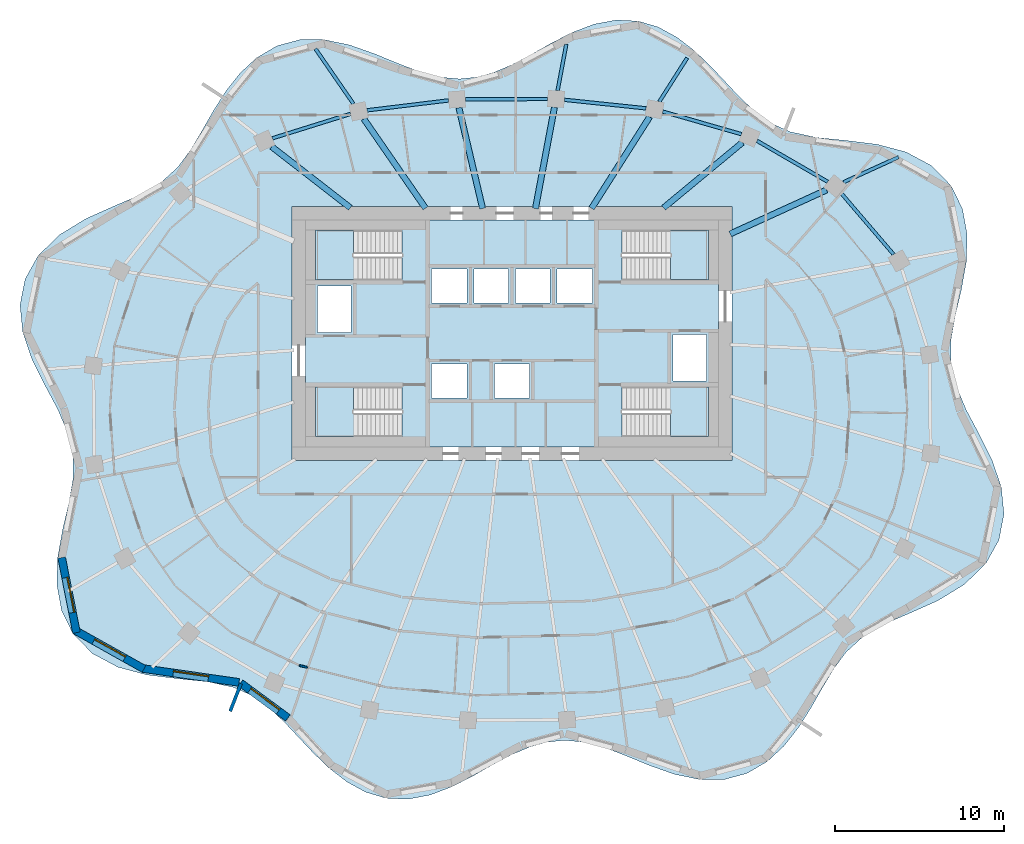
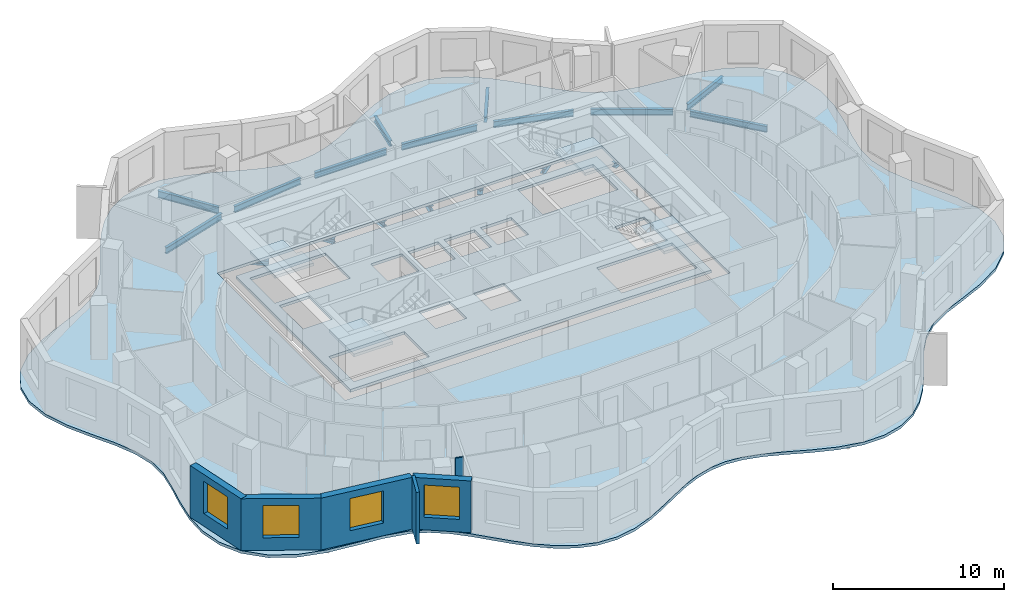
# One storey, part 2 of 11: 18 beams, 6 slabs, 6 walls, 4 windows, 4 openings, 4 elements without a shape of their own.
"""IFC4 building model written with IfcOpenShell, lengths in metres."""

from ifc_helpers import new_model, si_unit, direction, frame, frame_2d, origin, origin_2d, place, context, subcontext, project, spatial, polyline, rectangle, i_section, outline, extrude, material, layer, layer_set, material_profile, profile_set, type_object, element, fill, aggregate, save


model = new_model("IFC4")

# Units and contexts
model_context = context("Model", 3, precision=1e-05, world=origin(), true_north=direction((0.0, 1.0)))
body_context = subcontext(model_context, "Body", "Model", "MODEL_VIEW")
ifc_project = project(units=[si_unit("LENGTHUNIT", "METRE"), si_unit("AREAUNIT", "SQUARE_METRE"), si_unit("VOLUMEUNIT", "CUBIC_METRE"), si_unit("PLANEANGLEUNIT", "RADIAN"), si_unit("MASSUNIT", "GRAM", prefix="KILO")], contexts=[model_context])

# Site, building, storey
site_placement = place(None, origin())
site = spatial("IfcSite", under=ifc_project, at=site_placement, CompositionType="ELEMENT")
building_placement = place(site_placement, origin())
building = spatial("IfcBuilding", under=site, at=building_placement, Name="Rubra Terraces Tower", CompositionType="ELEMENT")
storey_placement = place(building_placement, frame((0.0, 0.0, 177.89990234375)))
storey = spatial("IfcBuildingStorey", under=building, at=storey_placement, Name="L43", CompositionType="ELEMENT", Elevation=177.89990234375)

# Beams
ifc_material_1 = material(Name="Steel Q355B", Category="steel")
ifc_material_profile_1 = material_profile(ifc_material_1, i_section(OverallWidth=0.199951171875, OverallDepth=0.39990234375, WebThickness=0.008056640625, FlangeThickness=0.012939453125, at=origin_2d()), Name="HN 400x200x8x13")
ifc_profile_set_1 = profile_set([ifc_material_profile_1], Name="Steel Q355B")
beam_type_1 = type_object("IfcBeamType", Name="CANTILEVER BEAM HN 400x200x8x13", PredefinedType="BEAM", material=ifc_profile_set_1)
beam_1_placement = place(storey_placement, frame((8.7099609375, 18.201904296875, -0.39990234375), z_axis=(0.536555231363, 0.843865204696, 0.0), x_axis=(-0.843865204696, 0.536555231363, 0.0)))
element("IfcBeam", 1, at=beam_1_placement, inside=storey, type_object=beam_type_1, Name="beam-L43-cant-05", PredefinedType="BEAM", context=body_context, shape_type="SweptSolid", body=[
    extrude(i_section(OverallWidth=0.199951171875, OverallDepth=0.39990234375, WebThickness=0.008056640625, FlangeThickness=0.012939453125, at=origin_2d()), origin(), (0.0, 0.0, 1.0), 3.05859375),
])
beam_2_placement = place(storey_placement, frame((2.695068359375, 18.85400390625, -0.39990234375), z_axis=(0.184719314681, 0.982791318024, 0.0), x_axis=(-0.982791318024, 0.184719314681, 0.0)))
element("IfcBeam", 2, at=beam_2_placement, inside=storey, type_object=beam_type_1, Name="beam-L43-cant-06", PredefinedType="BEAM", context=body_context, shape_type="SweptSolid", body=[
    extrude(i_section(OverallWidth=0.199951171875, OverallDepth=0.39990234375, WebThickness=0.008056640625, FlangeThickness=0.012939453125, at=origin_2d()), origin(), (0.0, 0.0, 1.0), 2.771484375),
])
ifc_material_profile_2 = material_profile(ifc_material_1, i_section(OverallWidth=0.198974609375, OverallDepth=0.446044921875, WebThickness=0.008056640625, FlangeThickness=0.011962890625, at=origin_2d()), Name="HN 446x199x8x12")
ifc_profile_set_2 = profile_set([ifc_material_profile_2], Name="Steel Q355B")
beam_type_2 = type_object("IfcBeamType", Name="CANTILEVER BEAM HN 446x199x8x12", PredefinedType="BEAM", material=ifc_profile_set_2)
beam_3_placement = place(storey_placement, frame((19.596923828125, 13.43896484375, -0.4228515625), z_axis=(0.909750987553, 0.415154357614, 0.0), x_axis=(-0.415154357614, 0.909750987553, 0.0)))
element("IfcBeam", 3, at=beam_3_placement, inside=storey, type_object=beam_type_2, Name="beam-L43-cant-03", PredefinedType="BEAM", context=body_context, shape_type="SweptSolid", body=[
    extrude(i_section(OverallWidth=0.198974609375, OverallDepth=0.446044921875, WebThickness=0.008056640625, FlangeThickness=0.011962890625, at=origin_2d()), origin(), (0.0, 0.0, 1.0), 3.56494140625),
])
ifc_material_profile_3 = material_profile(ifc_material_1, i_section(OverallWidth=0.198974609375, OverallDepth=0.49609375, WebThickness=0.009033203125, FlangeThickness=0.013916015625, at=origin_2d()), Name="HN 496x199x9x14")
ifc_profile_set_3 = profile_set([ifc_material_profile_3], Name="Steel Q355B")
beam_type_3 = type_object("IfcBeamType", Name="CANTILEVER BEAM HN 496x199x9x14", PredefinedType="BEAM", material=ifc_profile_set_3)
beam_4_placement = place(storey_placement, frame((-9.3701171875, 18.070068359375, -0.447998046875), z_axis=(-0.568216621414, 0.822879013676, 0.0), x_axis=(-0.822879013676, -0.568216621414, 0.0)))
element("IfcBeam", 4, at=beam_4_placement, inside=storey, type_object=beam_type_3, Name="beam-L43-cant-08", PredefinedType="BEAM", context=body_context, shape_type="SweptSolid", body=[
    extrude(i_section(OverallWidth=0.198974609375, OverallDepth=0.49609375, WebThickness=0.009033203125, FlangeThickness=0.013916015625, at=origin_2d()), origin(), (0.0, 0.0, 1.0), 3.95068359375),
])
ifc_material_profile_4 = material_profile(ifc_material_1, i_section(OverallWidth=0.35009765625, OverallDepth=0.35009765625, WebThickness=0.011962890625, FlangeThickness=0.01904296875, at=origin_2d()), Name="HW 350x350x12x19")
ifc_profile_set_4 = profile_set([ifc_material_profile_4], Name="Steel Q355B")
beam_type_4 = type_object("IfcBeamType", Name="FLOOR BEAM HW 350x350x12x19", PredefinedType="BEAM", material=ifc_profile_set_4)
beam_5_placement = place(storey_placement, frame((18.5869140625, 12.97900390625, -0.375), z_axis=(-0.909756526533, -0.415142219523, 0.0), x_axis=(0.415142219523, -0.909756526533, 0.0)))
element("IfcBeam", 5, at=beam_5_placement, inside=storey, type_object=beam_type_4, Name="beam-L43-floor-03", PredefinedType="BEAM", context=body_context, shape_type="SweptSolid", body=[
    extrude(i_section(OverallWidth=0.35009765625, OverallDepth=0.35009765625, WebThickness=0.011962890625, FlangeThickness=0.01904296875, at=origin_2d()), origin(), (0.0, 0.0, 1.0), 6.2607421875),
])
beam_6_placement = place(storey_placement, frame((13.60888671875, 15.777099609375, -0.375), z_axis=(-0.769987518392, -0.638058948312, 0.0), x_axis=(0.638058948312, -0.769987518392, 0.0)))
element("IfcBeam", 6, at=beam_6_placement, inside=storey, type_object=beam_type_4, Name="beam-L43-floor-04", PredefinedType="BEAM", context=body_context, shape_type="SweptSolid", body=[
    extrude(i_section(OverallWidth=0.35009765625, OverallDepth=0.35009765625, WebThickness=0.011962890625, FlangeThickness=0.01904296875, at=origin_2d()), origin(), (0.0, 0.0, 1.0), 6.040283203125),
])
beam_7_placement = place(storey_placement, frame((8.134033203125, 17.2958984375, -0.375), z_axis=(-0.536509861106, -0.843894050776, 0.0), x_axis=(0.843894050776, -0.536509861106, 0.0)))
element("IfcBeam", 7, at=beam_7_placement, inside=storey, type_object=beam_type_4, Name="beam-L43-floor-05", PredefinedType="BEAM", context=body_context, shape_type="SweptSolid", body=[
    extrude(i_section(OverallWidth=0.35009765625, OverallDepth=0.35009765625, WebThickness=0.011962890625, FlangeThickness=0.01904296875, at=origin_2d()), origin(), (0.0, 0.0, 1.0), 6.395263671875),
])
beam_8_placement = place(storey_placement, frame((2.509033203125, 17.862060546875, -0.375), z_axis=(-0.184574398021, -0.982818544593, 0.0), x_axis=(0.982818544593, -0.184574398021, 0.0)))
element("IfcBeam", 8, at=beam_8_placement, inside=storey, type_object=beam_type_4, Name="beam-L43-floor-06", PredefinedType="BEAM", context=body_context, shape_type="SweptSolid", body=[
    extrude(i_section(OverallWidth=0.35009765625, OverallDepth=0.35009765625, WebThickness=0.011962890625, FlangeThickness=0.01904296875, at=origin_2d()), origin(), (0.0, 0.0, 1.0), 6.08447265625),
])
beam_9_placement = place(storey_placement, frame((-3.137939453125, 17.8359375, -0.375), z_axis=(0.229070485592, -0.973409837957, 0.0), x_axis=(0.973409837957, 0.229070485592, 0.0)))
element("IfcBeam", 9, at=beam_9_placement, inside=storey, type_object=beam_type_4, Name="beam-L43-floor-07", PredefinedType="BEAM", context=body_context, shape_type="SweptSolid", body=[
    extrude(i_section(OverallWidth=0.35009765625, OverallDepth=0.35009765625, WebThickness=0.011962890625, FlangeThickness=0.01904296875, at=origin_2d()), origin(), (0.0, 0.0, 1.0), 6.115478515625),
])
beam_10_placement = place(storey_placement, frame((-8.756103515625, 17.179931640625, -0.375), z_axis=(0.568186422001, -0.822899866238, 0.0), x_axis=(0.822899866238, 0.568186422001, 0.0)))
element("IfcBeam", 10, at=beam_10_placement, inside=storey, type_object=beam_type_4, Name="beam-L43-floor-08", PredefinedType="BEAM", context=body_context, shape_type="SweptSolid", body=[
    extrude(i_section(OverallWidth=0.35009765625, OverallDepth=0.35009765625, WebThickness=0.011962890625, FlangeThickness=0.01904296875, at=origin_2d()), origin(), (0.0, 0.0, 1.0), 6.415283203125),
])
beam_11_placement = place(storey_placement, frame((-14.197998046875, 15.534912109375, -0.375), z_axis=(0.789548898228, -0.613687654517, 0.0), x_axis=(0.613687654517, 0.789548898228, 0.0)))
element("IfcBeam", 11, at=beam_11_placement, inside=storey, type_object=beam_type_4, Name="beam-L43-floor-09", PredefinedType="BEAM", context=body_context, shape_type="SweptSolid", body=[
    extrude(i_section(OverallWidth=0.35009765625, OverallDepth=0.35009765625, WebThickness=0.011962890625, FlangeThickness=0.01904296875, at=origin_2d()), origin(), (0.0, 0.0, 1.0), 5.880615234375),
])
ifc_material_profile_5 = material_profile(ifc_material_1, i_section(OverallWidth=0.198974609375, OverallDepth=0.446044921875, WebThickness=0.008056640625, FlangeThickness=0.011962890625, at=origin_2d()), Name="HN 446x199x8x12")
ifc_profile_set_5 = profile_set([ifc_material_profile_5], Name="Steel Q355B")
beam_type_5 = type_object("IfcBeamType", Name="SPANDREL BEAM HN 446x199x8x12", PredefinedType="SPANDREL", material=ifc_profile_set_5)
beam_12_placement = place(storey_placement, frame((22.547119140625, 9.174072265625, -0.4228515625), z_axis=(-0.650372836218, 0.759615148552, 0.0), x_axis=(-0.759615148552, -0.650372836218, 0.0)))
element("IfcBeam", 12, at=beam_12_placement, inside=storey, type_object=beam_type_5, Name="beam-L43-spandrel-02", PredefinedType="SPANDREL", context=body_context, shape_type="SweptSolid", body=[
    extrude(i_section(OverallWidth=0.198974609375, OverallDepth=0.446044921875, WebThickness=0.008056640625, FlangeThickness=0.011962890625, at=origin_2d()), origin(), (0.0, 0.0, 1.0), 4.804931640625),
])
beam_13_placement = place(storey_placement, frame((18.653076171875, 13.462890625, -0.4228515625), z_axis=(-0.865153680787, 0.501506838059, 0.0), x_axis=(-0.501506838059, -0.865153680787, 0.0)))
element("IfcBeam", 13, at=beam_13_placement, inside=storey, type_object=beam_type_5, Name="beam-L43-spandrel-03", PredefinedType="SPANDREL", context=body_context, shape_type="SweptSolid", body=[
    extrude(i_section(OverallWidth=0.198974609375, OverallDepth=0.446044921875, WebThickness=0.008056640625, FlangeThickness=0.011962890625, at=origin_2d()), origin(), (0.0, 0.0, 1.0), 4.82568359375),
])
beam_14_placement = place(storey_placement, frame((13.55810546875, 16.27490234375, -0.4228515625), z_axis=(-0.961171164323, 0.275952881621, 0.0), x_axis=(-0.275952881621, -0.961171164323, 0.0)))
element("IfcBeam", 14, at=beam_14_placement, inside=storey, type_object=beam_type_5, Name="beam-L43-spandrel-04", PredefinedType="SPANDREL", context=body_context, shape_type="SweptSolid", body=[
    extrude(i_section(OverallWidth=0.198974609375, OverallDepth=0.446044921875, WebThickness=0.008056640625, FlangeThickness=0.011962890625, at=origin_2d()), origin(), (0.0, 0.0, 1.0), 4.842041015625),
])
beam_15_placement = place(storey_placement, frame((7.923095703125, 17.801025390625, -0.4228515625), z_axis=(-0.994565426955, 0.104113454971, 0.0), x_axis=(-0.104113454971, -0.994565426955, 0.0)))
element("IfcBeam", 15, at=beam_15_placement, inside=storey, type_object=beam_type_5, Name="beam-L43-spandrel-05", PredefinedType="SPANDREL", context=body_context, shape_type="SweptSolid", body=[
    extrude(i_section(OverallWidth=0.198974609375, OverallDepth=0.446044921875, WebThickness=0.008056640625, FlangeThickness=0.011962890625, at=origin_2d()), origin(), (0.0, 0.0, 1.0), 4.849365234375),
])
beam_16_placement = place(storey_placement, frame((2.10107421875, 18.35595703125, -0.4228515625), z_axis=(-0.999987852299, -0.004929021704, 0.0), x_axis=(0.004929021704, -0.999987852299, 0.0)))
element("IfcBeam", 16, at=beam_16_placement, inside=storey, type_object=beam_type_5, Name="beam-L43-spandrel-06", PredefinedType="SPANDREL", context=body_context, shape_type="SweptSolid", body=[
    extrude(i_section(OverallWidth=0.198974609375, OverallDepth=0.446044921875, WebThickness=0.008056640625, FlangeThickness=0.011962890625, at=origin_2d()), origin(), (0.0, 0.0, 1.0), 4.85400390625),
])
beam_17_placement = place(storey_placement, frame((-3.7509765625, 18.27001953125, -0.4228515625), z_axis=(-0.992698018573, -0.120626049929, 0.0), x_axis=(0.120626049929, -0.992698018573, 0.0)))
element("IfcBeam", 17, at=beam_17_placement, inside=storey, type_object=beam_type_5, Name="beam-L43-spandrel-07", PredefinedType="SPANDREL", context=body_context, shape_type="SweptSolid", body=[
    extrude(i_section(OverallWidth=0.198974609375, OverallDepth=0.446044921875, WebThickness=0.008056640625, FlangeThickness=0.011962890625, at=origin_2d()), origin(), (0.0, 0.0, 1.0), 4.849365234375),
])
beam_18_placement = place(storey_placement, frame((-9.5419921875, 17.47509765625, -0.4228515625), z_axis=(-0.954462027342, -0.298332429282, 0.0), x_axis=(0.298332429282, -0.954462027342, 0.0)))
element("IfcBeam", 18, at=beam_18_placement, inside=storey, type_object=beam_type_5, Name="beam-L43-spandrel-08", PredefinedType="SPANDREL", context=body_context, shape_type="SweptSolid", body=[
    extrude(i_section(OverallWidth=0.198974609375, OverallDepth=0.446044921875, WebThickness=0.008056640625, FlangeThickness=0.011962890625, at=origin_2d()), origin(), (0.0, 0.0, 1.0), 4.840576171875),
])

# Slab
ifc_material_2 = material(Name="Concrete C40", Category="concrete")
ifc_layer_1 = layer(ifc_material_2, 0.199951171875)
ifc_layer_set_1 = layer_set([ifc_layer_1], Name="Concrete C40")
slab_type_1 = type_object("IfcSlabType", Name="Core floor slab 200 concrete", PredefinedType="FLOOR", material=ifc_layer_set_1)
slab_1_placement = place(storey_placement, frame((0.0, 0.0, -0.199951171875)))
element("IfcSlab", 19, at=slab_1_placement, inside=storey, type_object=slab_type_1, Name="CORE FLOOR SLAB L43", PredefinedType="FLOOR", context=body_context, shape_type="SweptSolid", body=[
    extrude(outline(polyline([(-12.199951171875, -2.199951171875), (-12.199951171875, 11.199951171875), (12.199951171875, 11.199951171875), (12.199951171875, -2.199951171875), (-12.199951171875, -2.199951171875)]), holes=[polyline([(11.597900390625, 1.347900390625), (6.501953125, 1.347900390625), (6.501953125, -1.597900390625), (11.597900390625, -1.597900390625), (11.597900390625, 1.347900390625)]), polyline([(11.597900390625, 7.652099609375), (11.597900390625, 10.597900390625), (6.501953125, 10.597900390625), (6.501953125, 7.652099609375), (11.597900390625, 7.652099609375)]), polyline([(9.5, 1.699951171875), (11.5, 1.699951171875), (11.5, 4.449951171875), (9.5, 4.449951171875), (9.5, 1.699951171875)]), polyline([(4.75, 6.300048828125), (4.75, 8.300048828125), (2.64990234375, 8.300048828125), (2.64990234375, 6.300048828125), (4.75, 6.300048828125)]), polyline([(2.25, 8.300048828125), (0.199951171875, 8.300048828125), (0.199951171875, 6.300048828125), (2.25, 6.300048828125), (2.25, 8.300048828125)]), polyline([(1.02490234375, 0.699951171875), (1.02490234375, 2.699951171875), (-1.02490234375, 2.699951171875), (-1.02490234375, 0.699951171875), (1.02490234375, 0.699951171875)]), polyline([(-0.199951171875, 6.300048828125), (-0.199951171875, 8.300048828125), (-2.25, 8.300048828125), (-2.25, 6.300048828125), (-0.199951171875, 6.300048828125)]), polyline([(-4.75, 8.300048828125), (-4.75, 6.300048828125), (-2.64990234375, 6.300048828125), (-2.64990234375, 8.300048828125), (-4.75, 8.300048828125)]), polyline([(-2.64990234375, 0.699951171875), (-2.64990234375, 2.699951171875), (-4.75, 2.699951171875), (-4.75, 0.699951171875), (-2.64990234375, 0.699951171875)]), polyline([(-11.597900390625, -1.597900390625), (-6.501953125, -1.597900390625), (-6.501953125, 1.347900390625), (-11.597900390625, 1.347900390625), (-11.597900390625, -1.597900390625)]), polyline([(-11.597900390625, 10.597900390625), (-11.597900390625, 7.652099609375), (-6.501953125, 7.652099609375), (-6.501953125, 10.597900390625), (-11.597900390625, 10.597900390625)]), polyline([(-9.5, 4.550048828125), (-9.5, 7.300048828125), (-11.5, 7.300048828125), (-11.5, 4.550048828125), (-9.5, 4.550048828125)])]), origin(), (0.0, 0.0, 1.0), 0.199951171875),
])

# Stair, slab
stair_type = type_object("IfcStairType", Name="Core stair 1400", PredefinedType="HALF_TURN_STAIR", material=ifc_material_2)
stair_1_placement = place(storey_placement, origin())
stair_1 = element("IfcStair", 20, at=stair_1_placement, inside=storey, type_object=stair_type, Name="L43 Exit stair S1", PredefinedType="HALF_TURN_STAIR")
ifc_layer_2 = layer(ifc_material_2, 0.199951171875)
ifc_layer_set_2 = layer_set([ifc_layer_2], Name="Concrete C40")
slab_type_2 = type_object("IfcSlabType", Name="Core stair landing 200", PredefinedType="LANDING", material=ifc_layer_set_2)
slab_2_placement = place(storey_placement, frame((0.0, 0.0, 1.75)))
slab_2 = element("IfcSlab", 21, at=slab_2_placement, type_object=slab_type_2, Name="S1 landing 1", PredefinedType="LANDING", context=body_context, shape_type="SweptSolid", body=[
    extrude(outline(polyline([(-8.97998046875, -0.199951171875), (-8.97998046875, -1.60009765625), (-9.360107421875, -1.60009765625), (-9.3798828125, -1.60009765625), (-11.60009765625, -1.60009765625), (-11.60009765625, 1.35009765625), (-9.3798828125, 1.35009765625), (-9.35791015625, 1.35009765625), (-9.35791015625, -0.050048828125), (-9.360107421875, -0.050048828125), (-9.360107421875, -0.199951171875), (-8.97998046875, -0.199951171875)])), origin(), (0.0, 0.0, 1.0), 0.2001953125),
])
aggregate(stair_1, [slab_2])

stair_2_placement = place(storey_placement, origin())
stair_2 = element("IfcStair", 22, at=stair_2_placement, inside=storey, type_object=stair_type, Name="L43 Exit stair S2", PredefinedType="HALF_TURN_STAIR")
slab_3_placement = place(storey_placement, frame((0.0, 0.0, 1.75)))
slab_3 = element("IfcSlab", 23, at=slab_3_placement, type_object=slab_type_2, Name="S2 landing 1", PredefinedType="LANDING", context=body_context, shape_type="SweptSolid", body=[
    extrude(outline(polyline([(-8.97998046875, 9.050048828125), (-8.97998046875, 7.64990234375), (-9.3798828125, 7.64990234375), (-11.60009765625, 7.64990234375), (-11.60009765625, 10.60009765625), (-9.3798828125, 10.60009765625), (-9.360107421875, 10.60009765625), (-9.35791015625, 10.60009765625), (-9.35791015625, 9.199951171875), (-9.360107421875, 9.199951171875), (-9.360107421875, 9.050048828125), (-8.97998046875, 9.050048828125)])), origin(), (0.0, 0.0, 1.0), 0.2001953125),
])
aggregate(stair_2, [slab_3])

stair_3_placement = place(storey_placement, origin())
stair_3 = element("IfcStair", 24, at=stair_3_placement, inside=storey, type_object=stair_type, Name="L43 Exit stair S3", PredefinedType="HALF_TURN_STAIR")
slab_4_placement = place(storey_placement, frame((0.0, 0.0, 1.75)))
slab_4 = element("IfcSlab", 25, at=slab_4_placement, type_object=slab_type_2, Name="S3 landing 1", PredefinedType="LANDING", context=body_context, shape_type="SweptSolid", body=[
    extrude(outline(polyline([(9.360107421875, 9.050048828125), (9.360107421875, 9.199951171875), (8.97998046875, 9.199951171875), (8.97998046875, 10.60009765625), (9.360107421875, 10.60009765625), (9.3798828125, 10.60009765625), (11.60009765625, 10.60009765625), (11.60009765625, 7.64990234375), (9.3798828125, 7.64990234375), (9.35791015625, 7.64990234375), (9.35791015625, 9.050048828125), (9.360107421875, 9.050048828125)])), origin(), (0.0, 0.0, 1.0), 0.2001953125),
])
aggregate(stair_3, [slab_4])

stair_4_placement = place(storey_placement, origin())
stair_4 = element("IfcStair", 26, at=stair_4_placement, inside=storey, type_object=stair_type, Name="L43 Exit stair S4", PredefinedType="HALF_TURN_STAIR")
slab_5_placement = place(storey_placement, frame((0.0, 0.0, 1.75)))
slab_5 = element("IfcSlab", 27, at=slab_5_placement, type_object=slab_type_2, Name="S4 landing 1", PredefinedType="LANDING", context=body_context, shape_type="SweptSolid", body=[
    extrude(outline(polyline([(9.360107421875, -0.199951171875), (9.360107421875, -0.050048828125), (8.97998046875, -0.050048828125), (8.97998046875, 1.35009765625), (9.360107421875, 1.35009765625), (9.3798828125, 1.35009765625), (11.60009765625, 1.35009765625), (11.60009765625, -1.60009765625), (9.3798828125, -1.60009765625), (9.360107421875, -1.60009765625), (9.35791015625, -1.60009765625), (9.35791015625, -0.199951171875), (9.360107421875, -0.199951171875)])), origin(), (0.0, 0.0, 1.0), 0.2001953125),
])
aggregate(stair_4, [slab_5])

# Slab
ifc_layer_3 = layer(ifc_material_2, 0.199951171875)
ifc_layer_set_3 = layer_set([ifc_layer_3], Name="Concrete C40")
slab_type_3 = type_object("IfcSlabType", Name="FLOOR SLAB 200 COMPOSITE", PredefinedType="FLOOR", material=ifc_layer_set_3)
slab_6_placement = place(storey_placement, frame((0.0, 0.0, -0.199951171875)))
element("IfcSlab", 28, at=slab_6_placement, inside=storey, type_object=slab_type_3, Name="FLOOR SLAB L43", PredefinedType="FLOOR", context=body_context, shape_type="SweptSolid", body=[
    extrude(outline(polyline([(27.60498046875, -1.447998046875), (26.8330078125, 0.0), (26.241943359375, 1.402099609375), (25.93408203125, 2.7490234375), (25.93896484375, 4.10791015625), (26.18994140625, 5.527099609375), (26.551025390625, 7.068115234375), (26.843994140625, 8.721923828125), (26.89794921875, 10.322021484375), (26.618896484375, 11.860107421875), (25.9541015625, 13.22412109375), (24.791015625, 14.4169921875), (23.280029296875, 15.22412109375), (21.576904296875, 15.677001953125), (19.7109375, 15.906982421875), (17.967041015625, 16.08203125), (16.422119140625, 16.422119140625), (15.35791015625, 16.89892578125), (14.376953125, 17.594970703125), (13.430908203125, 18.487060546875), (12.596923828125, 19.3779296875), (11.72509765625, 20.303955078125), (10.798095703125, 21.19189453125), (9.7509765625, 22.001953125), (8.634033203125, 22.60888671875), (7.4599609375, 22.958984375), (6.156982421875, 23.02197265625), (4.837890625, 22.77490234375), (3.528076171875, 22.27490234375), (2.3291015625, 21.662109375), (1.156005859375, 20.9990234375), (0.0, 20.383056640625), (-1.0439453125, 19.93701171875), (-2.072021484375, 19.64794921875), (-3.094970703125, 19.5419921875), (-4.2451171875, 19.64501953125), (-5.419921875, 19.9560546875), (-6.633056640625, 20.4130859375), (-8.09912109375, 21.01806640625), (-9.613037109375, 21.552001953125), (-11.14208984375, 21.866943359375), (-12.552978515625, 21.85595703125), (-13.886962890625, 21.4951171875), (-15.10009765625, 20.782958984375), (-16.069091796875, 19.883056640625), (-16.9140625, 18.81005859375), (-17.65087890625, 17.65087890625), (-18.34912109375, 16.429931640625), (-19.02294921875, 15.304931640625), (-19.736083984375, 14.339111328125), (-20.780029296875, 13.382080078125), (-22.05810546875, 12.64990234375), (-23.56298828125, 12.006103515625), (-25.175048828125, 11.283935546875), (-26.72509765625, 10.337890625), (-28.0, 9.097900390625), (-28.77099609375, 7.715087890625), (-29.072021484375, 6.176025390625), (-28.912109375, 4.5791015625), (-28.365966796875, 2.970947265625), (-27.60498046875, 1.447998046875), (-26.8330078125, 0.0), (-26.241943359375, -1.402099609375), (-25.93408203125, -2.7490234375), (-25.93896484375, -4.10791015625), (-26.18994140625, -5.527099609375), (-26.551025390625, -7.068115234375), (-26.843994140625, -8.721923828125), (-26.89794921875, -10.322021484375), (-26.618896484375, -11.860107421875), (-25.9541015625, -13.22412109375), (-24.791015625, -14.4169921875), (-23.280029296875, -15.22412109375), (-21.576904296875, -15.677001953125), (-19.7109375, -15.906982421875), (-17.967041015625, -16.08203125), (-16.422119140625, -16.422119140625), (-15.35791015625, -16.89892578125), (-14.376953125, -17.594970703125), (-13.430908203125, -18.487060546875), (-12.596923828125, -19.3779296875), (-11.72509765625, -20.303955078125), (-10.798095703125, -21.19189453125), (-9.7509765625, -22.001953125), (-8.634033203125, -22.60888671875), (-7.4599609375, -22.958984375), (-6.156982421875, -23.02197265625), (-4.837890625, -22.77490234375), (-3.528076171875, -22.27490234375), (-2.3291015625, -21.662109375), (-1.156005859375, -20.9990234375), (0.0, -20.383056640625), (1.0439453125, -19.93701171875), (2.072021484375, -19.64794921875), (3.094970703125, -19.5419921875), (4.2451171875, -19.64501953125), (5.419921875, -19.9560546875), (6.633056640625, -20.4130859375), (8.09912109375, -21.01806640625), (9.613037109375, -21.552001953125), (11.14208984375, -21.866943359375), (12.552978515625, -21.85595703125), (13.886962890625, -21.4951171875), (15.10009765625, -20.782958984375), (16.069091796875, -19.883056640625), (16.9140625, -18.81005859375), (17.65087890625, -17.65087890625), (18.34912109375, -16.429931640625), (19.02294921875, -15.304931640625), (19.736083984375, -14.339111328125), (20.780029296875, -13.382080078125), (22.05810546875, -12.64990234375), (23.56298828125, -12.006103515625), (25.175048828125, -11.283935546875), (26.72509765625, -10.337890625), (28.0, -9.097900390625), (28.77099609375, -7.715087890625), (29.072021484375, -6.176025390625), (28.912109375, -4.5791015625), (28.365966796875, -2.970947265625), (27.60498046875, -1.447998046875)]), holes=[polyline([(13.0, 12.0), (13.0, -3.0), (-13.0, -3.0), (-13.0, 12.0), (13.0, 12.0)])]), origin(), (0.0, 0.0, 1.0), 0.199951171875),
])

# Wall, opening, window
ifc_material_3 = material(Name="Brick masonry red-brown", Category="masonry")
ifc_layer_4 = layer(ifc_material_3, 0.449951171875)
ifc_layer_set_4 = layer_set([ifc_layer_4], Name="Brick masonry red-brown")
wall_type_1 = type_object("IfcWallType", Name="Brick facade wall 450", PredefinedType="SOLIDWALL", material=ifc_layer_set_4)
wall_1_placement = place(storey_placement, frame((-26.609619140625, -8.747802734375, 0.0), z_axis=(0.0, 0.0, 1.0), x_axis=(0.193923166402, -0.981016720312, 0.0)))
wall_1 = element("IfcWall", 29, at=wall_1_placement, inside=storey, type_object=wall_type_1, Name="Facade wall L43 bay 23", PredefinedType="SOLIDWALL", context=body_context, shape_type="SweptSolid", body=[
    extrude(rectangle(XDim=4.518310546875, YDim=0.449951171875, at=frame_2d((2.25927734375, 0.0))), origin(), (0.0, 0.0, 1.0), 3.7001953125),
])
opening_1_placement = place(wall_1_placement, frame((1.209228515625, 0.0, 0.89990234375)))
opening_1 = element("IfcOpeningElement", 30, at=opening_1_placement, cuts=wall_1, Name="Opening W1B", PredefinedType="OPENING", context=body_context, shape_type="SweptSolid", body=[
    extrude(rectangle(XDim=2.10009765625, YDim=2.300048828125, at=frame_2d((1.050048828125, 1.14990234375))), frame((0.0, 0.23486328125, 0.0), z_axis=(0.0, -1.0, 0.0), x_axis=(1.0, 0.0, 0.0)), (0.0, 0.0, 1.0), 0.469970703125),
])
ifc_material_4 = material(Name="Clear glass in aluminium frame", Category="aluminium")
window_type = type_object("IfcWindowType", Name="Fixed deep-set window tall storey 2100 x 2300", PartitioningType="SINGLE_PANEL", PredefinedType="WINDOW", material=ifc_material_4)
window_1_placement = place(opening_1_placement, origin())
window_1 = element("IfcWindow", 31, at=window_1_placement, inside=storey, type_object=window_type, Name="Window L43 bay 23", OverallHeight=2.300048828125, OverallWidth=2.10009765625, PartitioningType="SINGLE_PANEL", PredefinedType="WINDOW", context=body_context, shape_type="SweptSolid", body=[
    extrude(rectangle(XDim=2.10009765625, YDim=2.300048828125, at=frame_2d((1.050048828125, 1.14990234375))), frame((0.0, 0.135009765625, 0.0), z_axis=(0.0, -1.0, 0.0), x_axis=(1.0, 0.0, 0.0)), (0.0, 0.0, 1.0), 0.06005859375),
])
fill(opening_1, window_1)

wall_2_placement = place(storey_placement, frame((-25.843994140625, -13.027587890625, 0.0), z_axis=(0.0, 0.0, 1.0), x_axis=(0.872346398261, -0.488888291373, 0.0)))
wall_2 = element("IfcWall", 32, at=wall_2_placement, inside=storey, type_object=wall_type_1, Name="Facade wall L43 bay 24", PredefinedType="SOLIDWALL", context=body_context, shape_type="SweptSolid", body=[
    extrude(rectangle(XDim=4.696044921875, YDim=0.449951171875, at=frame_2d((2.34814453125, 0.0))), origin(), (0.0, 0.0, 1.0), 3.7001953125),
])
opening_2_placement = place(wall_2_placement, frame((1.298095703125, 0.0, 0.89990234375)))
opening_2 = element("IfcOpeningElement", 33, at=opening_2_placement, cuts=wall_2, Name="Opening W1B", PredefinedType="OPENING", context=body_context, shape_type="SweptSolid", body=[
    extrude(rectangle(XDim=2.10009765625, YDim=2.300048828125, at=frame_2d((1.050048828125, 1.14990234375))), frame((0.0, 0.23486328125, 0.0), z_axis=(0.0, -1.0, 0.0), x_axis=(1.0, 0.0, 0.0)), (0.0, 0.0, 1.0), 0.469970703125),
])
window_2_placement = place(opening_2_placement, origin())
window_2 = element("IfcWindow", 34, at=window_2_placement, inside=storey, type_object=window_type, Name="Window L43 bay 24", OverallHeight=2.300048828125, OverallWidth=2.10009765625, PartitioningType="SINGLE_PANEL", PredefinedType="WINDOW", context=body_context, shape_type="SweptSolid", body=[
    extrude(rectangle(XDim=2.10009765625, YDim=2.300048828125, at=frame_2d((1.050048828125, 1.14990234375))), frame((0.0, 0.135009765625, 0.0), z_axis=(0.0, -1.0, 0.0), x_axis=(1.0, 0.0, 0.0)), (0.0, 0.0, 1.0), 0.06005859375),
])
fill(opening_2, window_2)

wall_3_placement = place(storey_placement, frame((-21.8251953125, -15.297119140625, 0.0), z_axis=(0.0, 0.0, 1.0), x_axis=(0.98971474215, -0.143054986527, 0.0)))
wall_3 = element("IfcWall", 35, at=wall_3_placement, inside=storey, type_object=wall_type_1, Name="Facade wall L43 bay 25", PredefinedType="SOLIDWALL", context=body_context, shape_type="SweptSolid", body=[
    extrude(rectangle(XDim=5.7529296875, YDim=0.449951171875, at=frame_2d((2.87646484375, 0.0))), origin(), (0.0, 0.0, 1.0), 3.7001953125),
])
opening_3_placement = place(wall_3_placement, frame((1.826416015625, 0.0, 0.89990234375)))
opening_3 = element("IfcOpeningElement", 36, at=opening_3_placement, cuts=wall_3, Name="Opening W1B", PredefinedType="OPENING", context=body_context, shape_type="SweptSolid", body=[
    extrude(rectangle(XDim=2.10009765625, YDim=2.300048828125, at=frame_2d((1.050048828125, 1.14990234375))), frame((0.0, 0.23486328125, 0.0), z_axis=(0.0, -1.0, 0.0), x_axis=(1.0, 0.0, 0.0)), (0.0, 0.0, 1.0), 0.469970703125),
])
window_3_placement = place(opening_3_placement, origin())
window_3 = element("IfcWindow", 37, at=window_3_placement, inside=storey, type_object=window_type, Name="Window L43 bay 25", OverallHeight=2.300048828125, OverallWidth=2.10009765625, PartitioningType="SINGLE_PANEL", PredefinedType="WINDOW", context=body_context, shape_type="SweptSolid", body=[
    extrude(rectangle(XDim=2.10009765625, YDim=2.300048828125, at=frame_2d((1.050048828125, 1.14990234375))), frame((0.0, 0.135009765625, 0.0), z_axis=(0.0, -1.0, 0.0), x_axis=(1.0, 0.0, 0.0)), (0.0, 0.0, 1.0), 0.06005859375),
])
fill(opening_3, window_3)

wall_4_placement = place(storey_placement, frame((-16.03564453125, -16.15771484375, 0.0), z_axis=(0.0, 0.0, 1.0), x_axis=(0.805181432967, -0.593028549064, 0.0)))
wall_4 = element("IfcWall", 38, at=wall_4_placement, inside=storey, type_object=wall_type_1, Name="Facade wall L43 bay 26", PredefinedType="SOLIDWALL", context=body_context, shape_type="SweptSolid", body=[
    extrude(rectangle(XDim=3.468505859375, YDim=0.449951171875, at=frame_2d((1.734375, 0.0))), origin(), (0.0, 0.0, 1.0), 3.7001953125),
])
opening_4_placement = place(wall_4_placement, frame((0.684326171875, 0.0, 0.89990234375)))
opening_4 = element("IfcOpeningElement", 39, at=opening_4_placement, cuts=wall_4, Name="Opening W1B", PredefinedType="OPENING", context=body_context, shape_type="SweptSolid", body=[
    extrude(rectangle(XDim=2.10009765625, YDim=2.300048828125, at=frame_2d((1.050048828125, 1.14990234375))), frame((0.0, 0.23486328125, 0.0), z_axis=(0.0, -1.0, 0.0), x_axis=(1.0, 0.0, 0.0)), (0.0, 0.0, 1.0), 0.469970703125),
])
window_4_placement = place(opening_4_placement, origin())
window_4 = element("IfcWindow", 40, at=window_4_placement, inside=storey, type_object=window_type, Name="Window L43 bay 26", OverallHeight=2.300048828125, OverallWidth=2.10009765625, PartitioningType="SINGLE_PANEL", PredefinedType="WINDOW", context=body_context, shape_type="SweptSolid", body=[
    extrude(rectangle(XDim=2.10009765625, YDim=2.300048828125, at=frame_2d((1.050048828125, 1.14990234375))), frame((0.0, 0.135009765625, 0.0), z_axis=(0.0, -1.0, 0.0), x_axis=(1.0, 0.0, 0.0)), (0.0, 0.0, 1.0), 0.06005859375),
])
fill(opening_4, window_4)

# Walls
ifc_layer_5 = layer(ifc_material_3, 0.199951171875)
ifc_layer_set_5 = layer_set([ifc_layer_5], Name="Brick masonry red-brown")
wall_type_2 = type_object("IfcWallType", Name="Brick wind fin 200", PredefinedType="SOLIDWALL", material=ifc_layer_set_5)
wall_5_placement = place(storey_placement, frame((-16.01904296875, -16.195068359375, 0.0), z_axis=(0.0, 0.0, 1.0), x_axis=(-0.362641522028, -0.931928713208, 0.0)))
element("IfcWall", 41, at=wall_5_placement, inside=storey, type_object=wall_type_2, Name="Wind fin L43 16", PredefinedType="SOLIDWALL", context=body_context, shape_type="SweptSolid", body=[
    extrude(rectangle(XDim=1.749755859375, YDim=0.199951171875, at=frame_2d((0.875, 0.0))), origin(), (0.0, 0.0, 1.0), 3.7001953125),
])
ifc_material_5 = material(Name="Plasterboard on steel stud", Category="steel")
ifc_layer_6 = layer(ifc_material_5, 0.10009765625)
ifc_layer_set_6 = layer_set([ifc_layer_6], Name="Plasterboard on steel stud")
wall_type_3 = type_object("IfcWallType", Name="ROOM PARTITION 100", PredefinedType="PARTITIONING", material=ifc_layer_set_6)
wall_6_placement = place(storey_placement, frame((-12.07763671875, -15.23828125, 0.0), z_axis=(0.0, 0.0, 1.0), x_axis=(-0.970024978464, 0.243005228658, 0.0)))
element("IfcWall", 42, at=wall_6_placement, inside=storey, type_object=wall_type_3, Name="PARTITION", PredefinedType="PARTITIONING", context=body_context, shape_type="SweptSolid", body=[
    extrude(rectangle(XDim=0.4892578125, YDim=0.10009765625, at=frame_2d((0.24462890625, 0.0))), origin(), (0.0, 0.0, 1.0), 3.083984375),
])

save(model, "model.ifc")
